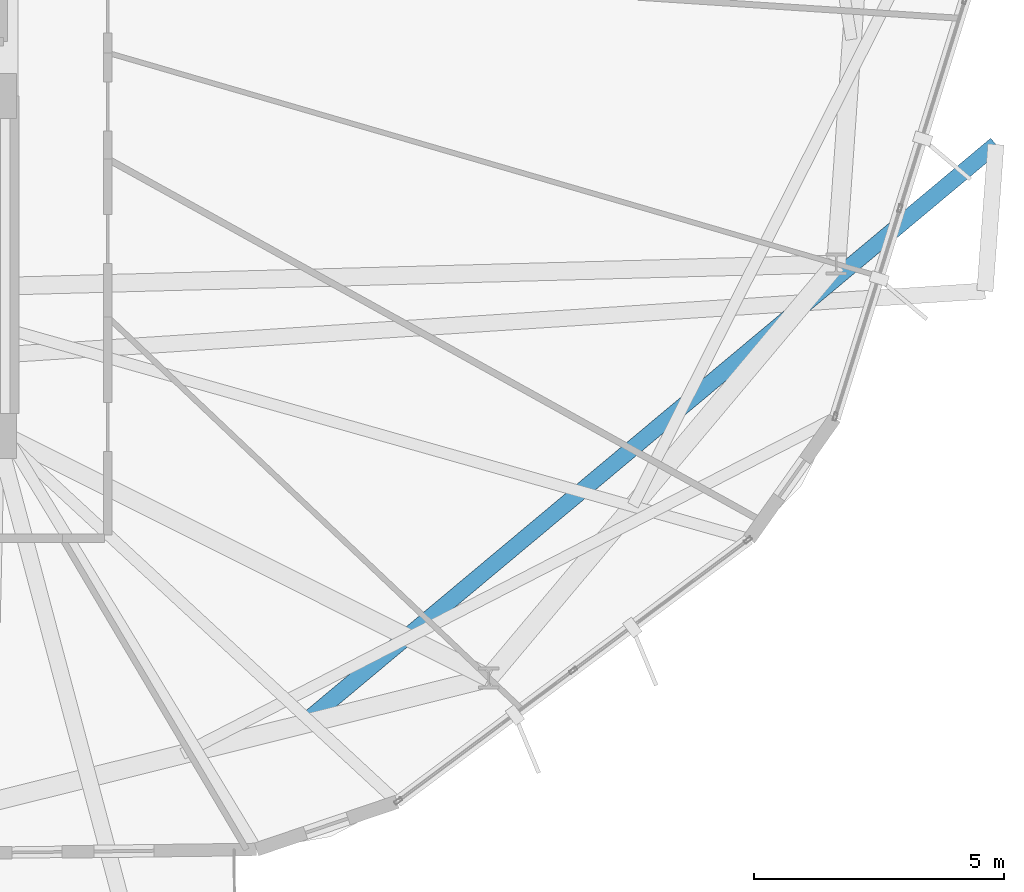
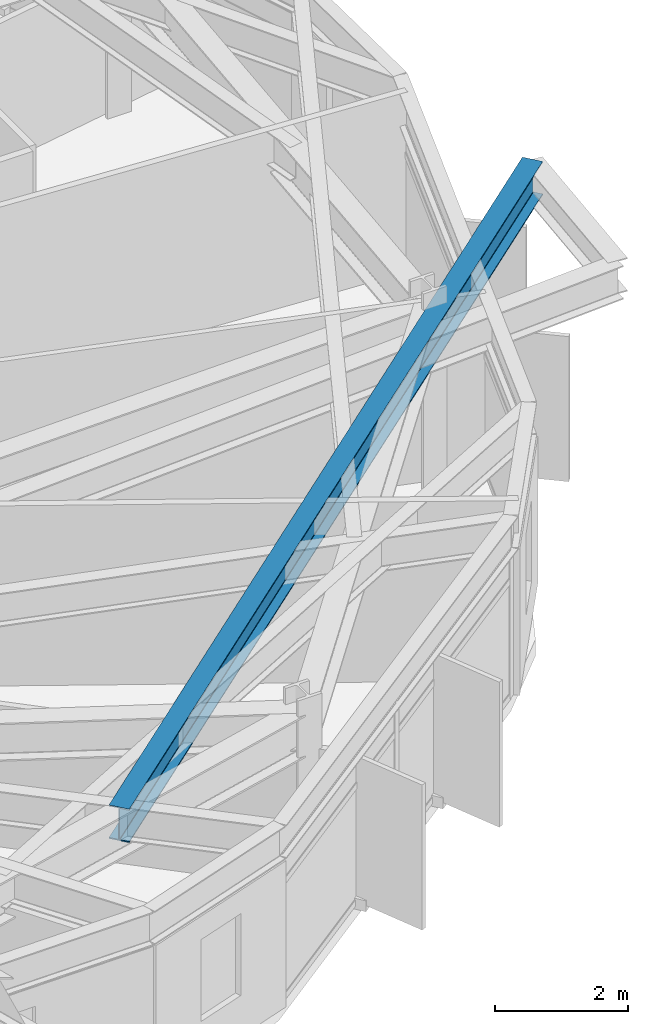
# One storey, part 10 of 27: 1 beam.
"""IFC4 building model written with IfcOpenShell, lengths in metres."""

from ifc_helpers import new_model, si_unit, direction, frame, origin, origin_2d, place, context, subcontext, project, spatial, i_section, extrude, material, material_profile, profile_set, type_object, element, save


model = new_model("IFC4")

# Units and contexts
model_context = context("Model", 3, precision=1e-05, world=origin(), true_north=direction((0.0, 1.0)))
body_context = subcontext(model_context, "Body", "Model", "MODEL_VIEW")
ifc_project = project(units=[si_unit("LENGTHUNIT", "METRE"), si_unit("AREAUNIT", "SQUARE_METRE"), si_unit("VOLUMEUNIT", "CUBIC_METRE"), si_unit("PLANEANGLEUNIT", "RADIAN"), si_unit("MASSUNIT", "GRAM", prefix="KILO")], contexts=[model_context])

# Site, building, storey
site_placement = place(None, origin())
site = spatial("IfcSite", under=ifc_project, at=site_placement, CompositionType="ELEMENT")
building_placement = place(site_placement, origin())
building = spatial("IfcBuilding", under=site, at=building_placement, Name="Soratama Intermodal Tower", CompositionType="ELEMENT")
storey_placement = place(building_placement, frame((0.0, 0.0, 167.800048828125)))
storey = spatial("IfcBuildingStorey", under=building, at=storey_placement, Name="L41", CompositionType="ELEMENT", Elevation=167.800048828125)

# Beam
ifc_material = material(Name="Structural steel ASTM A992 Grade 50", Category="steel")
ifc_material_profile = material_profile(ifc_material, i_section(OverallWidth=0.324951171875, OverallDepth=0.615966796875, WebThickness=0.013916015625, FlangeThickness=0.021484375, FilletRadius=0.013916015625, at=origin_2d()), Name="W24X117")
ifc_profile_set = profile_set([ifc_material_profile], Name="Structural steel ASTM A992 Grade 50")
beam_type = type_object("IfcBeamType", Name="BM-CANT-W24X117", PredefinedType="BEAM", material=ifc_profile_set)
beam_placement = place(storey_placement, frame((50.56396484375, 9.251953125, 2.991943359375), z_axis=(0.767256349917, 0.641340544104, 0.0), x_axis=(-0.641340544104, 0.767256349917, 0.0)))
element("IfcBeam", 1, at=beam_placement, inside=storey, type_object=beam_type, Name="BM-L41-CANT-1-2", PredefinedType="BEAM", context=body_context, shape_type="SweptSolid", body=[
    extrude(i_section(OverallWidth=0.324951171875, OverallDepth=0.615966796875, WebThickness=0.013916015625, FlangeThickness=0.021484375, FilletRadius=0.013916015625, at=origin_2d()), origin(), (0.0, 0.0, 1.0), 18.05908203125),
])

save(model, "model.ifc")
